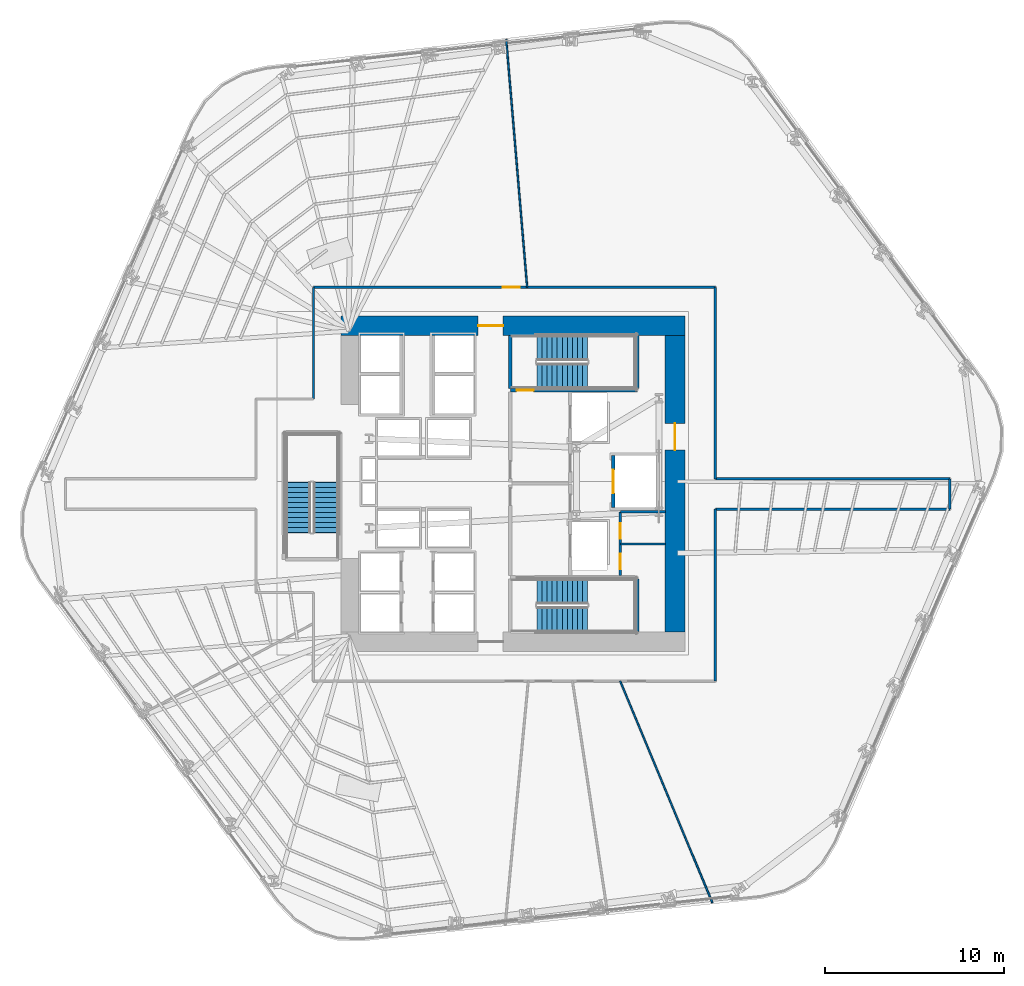
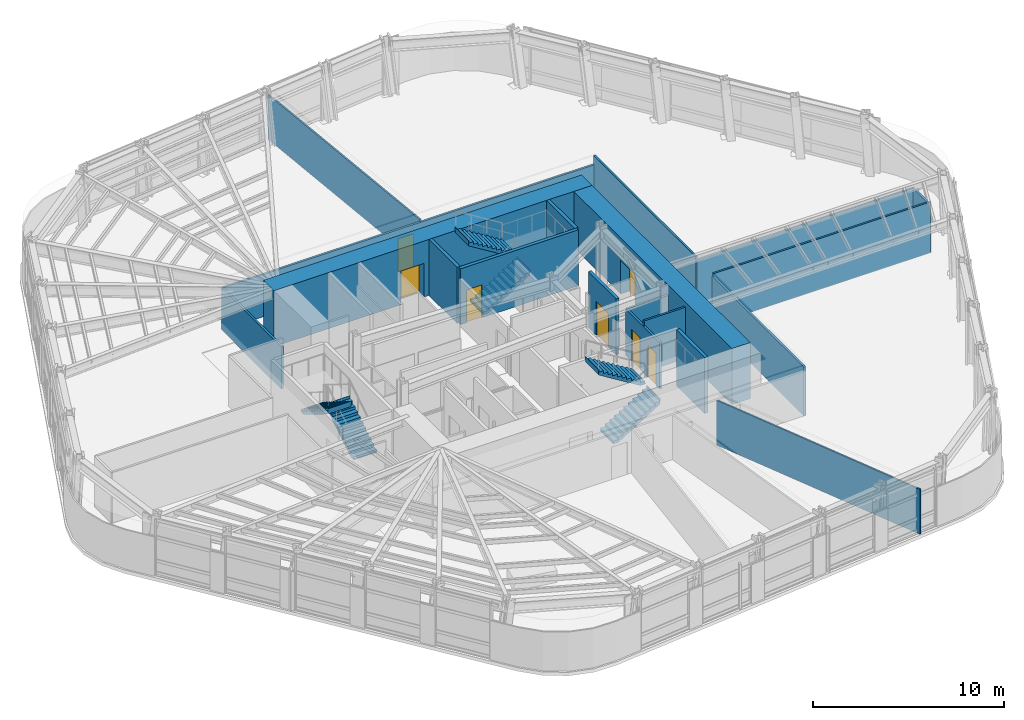
# One storey, part 9 of 16: 19 walls, 7 doors, 6 stair flights, 7 openings, 3 elements without a shape of their own.
"""IFC4 building model written with IfcOpenShell, lengths in metres."""

from ifc_helpers import new_model, si_unit, direction, frame, frame_2d, origin, place, context, subcontext, project, spatial, polyline, rectangle, outline, extrude, material, layer, layer_set, type_object, element, fill, aggregate, save


model = new_model("IFC4")

# Units and contexts
model_context = context("Model", 3, precision=1e-05, world=origin(), true_north=direction((0.0, 1.0)))
body_context = subcontext(model_context, "Body", "Model", "MODEL_VIEW")
ifc_project = project(units=[si_unit("LENGTHUNIT", "METRE"), si_unit("AREAUNIT", "SQUARE_METRE"), si_unit("VOLUMEUNIT", "CUBIC_METRE"), si_unit("PLANEANGLEUNIT", "RADIAN"), si_unit("MASSUNIT", "GRAM", prefix="KILO")], contexts=[model_context])

# Site, building, storey
site_placement = place(None, origin())
site = spatial("IfcSite", under=ifc_project, at=site_placement, CompositionType="ELEMENT")
building_placement = place(site_placement, origin())
building = spatial("IfcBuilding", under=site, at=building_placement, Name="Valkerne Bourse Tower", CompositionType="ELEMENT")
storey_placement = place(building_placement, frame((0.0, 0.0, 50.60009765625)))
storey = spatial("IfcBuildingStorey", under=building, at=storey_placement, Name="L12", CompositionType="ELEMENT", Elevation=50.60009765625)

# Wall, opening, door
ifc_material_1 = material(Name="Concrete C70/85", Category="concrete")
ifc_layer_1 = layer(ifc_material_1, 1.10009765625)
ifc_layer_set_1 = layer_set([ifc_layer_1], Name="Concrete C70/85")
wall_type_1 = type_object("IfcWallType", Name="W-CORE-1100", PredefinedType="SHEAR", material=ifc_layer_set_1)
wall_1_placement = place(storey_placement, frame((37.199951171875, 35.699951171875, 0.0), z_axis=(0.0, 0.0, 1.0), x_axis=(1.0, 0.0, 0.0)))
wall_1 = element("IfcWall", 1, at=wall_1_placement, inside=storey, type_object=wall_type_1, Name="L12 Core Shear Wall NORTH", PredefinedType="SHEAR", context=body_context, shape_type="SweptSolid", body=[
    extrude(rectangle(XDim=19.199951171875, YDim=1.10009765625, at=frame_2d((9.60009765625, 0.0))), origin(), (0.0, 0.0, 1.0), 3.579833984375),
])
opening_1_placement = place(wall_1_placement, frame((7.64990234375, 0.0, 0.0)))
opening_1 = element("IfcOpeningElement", 2, at=opening_1_placement, cuts=wall_1, Name="Opening D-PL-1400", PredefinedType="OPENING", context=body_context, shape_type="SweptSolid", body=[
    extrude(rectangle(XDim=1.39990234375, YDim=2.14990234375, at=frame_2d((0.699951171875, 1.074951171875))), frame((0.0, 0.56005859375, 0.0), z_axis=(0.0, -1.0, 0.0), x_axis=(1.0, 0.0, 0.0)), (0.0, 0.0, 1.0), 1.1201171875),
])
ifc_material_2 = material(Name="Galvanised Painted Steel", Category="steel")
door_type_1 = type_object("IfcDoorType", Name="DR-PLT-1400", OperationType="DOUBLE_DOOR_SINGLE_SWING", PredefinedType="DOOR", material=ifc_material_2)
door_1_placement = place(opening_1_placement, origin())
door_1 = element("IfcDoor", 3, at=door_1_placement, inside=storey, type_object=door_type_1, Name="L12 North Passenger Lift Hall Fire Door", OperationType="DOUBLE_DOOR_SINGLE_SWING", OverallHeight=2.14990234375, OverallWidth=1.39990234375, PredefinedType="DOOR", context=body_context, shape_type="SweptSolid", body=[
    extrude(rectangle(XDim=1.39990234375, YDim=2.14990234375, at=frame_2d((0.699951171875, 1.074951171875))), frame((0.0, 0.02490234375, 0.0), z_axis=(0.0, -1.0, 0.0), x_axis=(1.0, 0.0, 0.0)), (0.0, 0.0, 1.0), 0.050048828125),
])
fill(opening_1, door_1)

wall_2_placement = place(storey_placement, frame((55.85009765625, 18.60009765625, 0.0), z_axis=(0.0, 0.0, 1.0), x_axis=(0.0, 1.0, 0.0)))
wall_2 = element("IfcWall", 4, at=wall_2_placement, inside=storey, type_object=wall_type_1, Name="L12 Core Shear Wall EAST", PredefinedType="SHEAR", context=body_context, shape_type="SweptSolid", body=[
    extrude(rectangle(XDim=16.5498046875, YDim=1.10009765625, at=frame_2d((8.27490234375, 0.0))), origin(), (0.0, 0.0, 1.0), 3.579833984375),
])
opening_2_placement = place(wall_2_placement, frame((10.14990234375, 0.0, 0.0)))
opening_2 = element("IfcOpeningElement", 5, at=opening_2_placement, cuts=wall_2, Name="Opening D-CR-1500", PredefinedType="OPENING", context=body_context, shape_type="SweptSolid", body=[
    extrude(rectangle(XDim=1.5, YDim=2.14990234375, at=frame_2d((0.75, 1.074951171875))), frame((0.0, 0.56005859375, 0.0), z_axis=(0.0, -1.0, 0.0), x_axis=(1.0, 0.0, 0.0)), (0.0, 0.0, 1.0), 1.1201171875),
])
door_type_2 = type_object("IfcDoorType", Name="DR-CORR-1500", OperationType="DOUBLE_DOOR_SINGLE_SWING", PredefinedType="DOOR", material=ifc_material_2)
door_2_placement = place(opening_2_placement, origin())
door_2 = element("IfcDoor", 6, at=door_2_placement, inside=storey, type_object=door_type_2, Name="L12 East Core Service Lobby Fire Door", OperationType="DOUBLE_DOOR_SINGLE_SWING", OverallHeight=2.14990234375, OverallWidth=1.5, PredefinedType="DOOR", context=body_context, shape_type="SweptSolid", body=[
    extrude(rectangle(XDim=1.5, YDim=2.14990234375, at=frame_2d((0.75, 1.074951171875))), frame((0.0, 0.02490234375, 0.0), z_axis=(0.0, -1.0, 0.0), x_axis=(1.0, 0.0, 0.0)), (0.0, 0.0, 1.0), 0.050048828125),
])
fill(opening_2, door_2)

# Walls
ifc_material_3 = material(Name="Gypsum Board Steel-Stud Partition", Category="steel")
ifc_layer_2 = layer(ifc_material_3, 0.117919921875)
ifc_layer_set_2 = layer_set([ifc_layer_2], Name="Gypsum Board Steel-Stud Partition")
wall_type_2 = type_object("IfcWallType", Name="W-CORR-140", PredefinedType="PARTITIONING", material=ifc_layer_set_2)
wall_3_placement = place(storey_placement, frame((52.800048828125, 23.510009765625, 0.0), z_axis=(0.0, 0.0, 1.0), x_axis=(1.0, 0.0, 0.0)))
element("IfcWall", 7, at=wall_3_placement, inside=storey, type_object=wall_type_2, Name="L12 Core SE Dual Divider", PredefinedType="PARTITIONING", context=body_context, shape_type="SweptSolid", body=[
    extrude(rectangle(XDim=2.52001953125, YDim=0.117919921875, at=frame_2d((1.260009765625, 0.0))), origin(), (0.0, 0.0, 1.0), 3.27978515625),
])
wall_4_placement = place(storey_placement, frame((58.10009765625, 27.14990234375, 0.0), z_axis=(0.0, 0.0, 1.0), x_axis=(1.0, 0.0, 0.0)))
element("IfcWall", 8, at=wall_4_placement, inside=storey, type_object=wall_type_2, Name="L12 Corridor Enclosure Wall", PredefinedType="PARTITIONING", context=body_context, shape_type="SweptSolid", body=[
    extrude(rectangle(XDim=13.099853515625, YDim=0.117919921875, at=frame_2d((6.5498046875, 0.0))), origin(), (0.0, 0.0, 1.0), 3.11279296875),
])
wall_5_placement = place(storey_placement, frame((71.199951171875, 27.14990234375, 0.0), z_axis=(0.0, 0.0, 1.0), x_axis=(0.0, -1.0, 0.0)))
element("IfcWall", 9, at=wall_5_placement, inside=storey, type_object=wall_type_2, Name="L12 Corridor Enclosure Wall", PredefinedType="PARTITIONING", context=body_context, shape_type="SweptSolid", body=[
    extrude(rectangle(XDim=1.699951171875, YDim=0.117919921875, at=frame_2d((0.85009765625, 0.0))), origin(), (0.0, 0.0, 1.0), 3.11279296875),
])
wall_6_placement = place(storey_placement, frame((71.199951171875, 25.449951171875, 0.0), z_axis=(0.0, 0.0, 1.0), x_axis=(-1.0, 0.0, 0.0)))
element("IfcWall", 10, at=wall_6_placement, inside=storey, type_object=wall_type_2, Name="L12 Corridor Enclosure Wall", PredefinedType="PARTITIONING", context=body_context, shape_type="SweptSolid", body=[
    extrude(rectangle(XDim=13.099853515625, YDim=0.117919921875, at=frame_2d((6.5498046875, 0.0))), origin(), (0.0, 0.0, 1.0), 3.260009765625),
])
wall_7_placement = place(storey_placement, frame((58.10009765625, 25.449951171875, 0.0), z_axis=(0.0, 0.0, 1.0), x_axis=(0.0, -1.0, 0.0)))
element("IfcWall", 11, at=wall_7_placement, inside=storey, type_object=wall_type_2, Name="L12 Corridor Enclosure Wall", PredefinedType="PARTITIONING", context=body_context, shape_type="SweptSolid", body=[
    extrude(rectangle(XDim=9.599853515625, YDim=0.117919921875, at=frame_2d((4.7998046875, 0.0))), origin(), (0.0, 0.0, 1.0), 3.107666015625),
])
wall_8_placement = place(storey_placement, frame((35.64990234375, 31.60009765625, 0.0), z_axis=(0.0, 0.0, 1.0), x_axis=(0.0, 1.0, 0.0)))
element("IfcWall", 12, at=wall_8_placement, inside=storey, type_object=wall_type_2, Name="L12 Corridor Enclosure Wall", PredefinedType="PARTITIONING", context=body_context, shape_type="SweptSolid", body=[
    extrude(rectangle(XDim=6.25, YDim=0.117919921875, at=frame_2d((3.125, 0.0))), origin(), (0.0, 0.0, 1.0), 2.71142578125),
])

# Wall, opening, door
wall_9_placement = place(storey_placement, frame((35.64990234375, 37.85009765625, 0.0), z_axis=(0.0, 0.0, 1.0), x_axis=(1.0, 0.0, 0.0)))
wall_9 = element("IfcWall", 13, at=wall_9_placement, inside=storey, type_object=wall_type_2, Name="L12 Corridor Enclosure Wall", PredefinedType="PARTITIONING", context=body_context, shape_type="SweptSolid", body=[
    extrude(rectangle(XDim=22.4501953125, YDim=0.117919921875, at=frame_2d((11.22509765625, 0.0))), origin(), (0.0, 0.0, 1.0), 2.71142578125),
])
opening_3_placement = place(wall_9_placement, frame((10.570068359375, 0.0, 0.0)))
opening_3 = element("IfcOpeningElement", 14, at=opening_3_placement, cuts=wall_9, Name="Opening D-OF-950", PredefinedType="OPENING", context=body_context, shape_type="SweptSolid", body=[
    extrude(rectangle(XDim=0.949951171875, YDim=2.10009765625, at=frame_2d((0.47509765625, 1.050048828125))), frame((0.0, 0.06884765625, 0.0), z_axis=(0.0, -1.0, 0.0), x_axis=(1.0, 0.0, 0.0)), (0.0, 0.0, 1.0), 0.137939453125),
])
ifc_material_4 = material(Name="Architectural White Oak Timber", Category="wood")
door_type_3 = type_object("IfcDoorType", Name="DR-OFF-950", OperationType="NOTDEFINED", PredefinedType="DOOR", material=ifc_material_4)
door_3_placement = place(opening_3_placement, origin())
door_3 = element("IfcDoor", 15, at=door_3_placement, inside=storey, type_object=door_type_3, Name="L12 L12 Executive Economics Study Room 4 Door", OperationType="SINGLE_SWING_LEFT", OverallHeight=2.10009765625, OverallWidth=0.949951171875, PredefinedType="DOOR", context=body_context, shape_type="SweptSolid", body=[
    extrude(rectangle(XDim=0.949951171875, YDim=2.10009765625, at=frame_2d((0.47509765625, 1.050048828125))), frame((0.0, 0.02490234375, 0.0), z_axis=(0.0, -1.0, 0.0), x_axis=(1.0, 0.0, 0.0)), (0.0, 0.0, 1.0), 0.050048828125),
])
fill(opening_3, door_3)

# Wall
wall_10_placement = place(storey_placement, frame((58.10009765625, 37.85009765625, 0.0), z_axis=(0.0, 0.0, 1.0), x_axis=(0.0, -1.0, 0.0)))
element("IfcWall", 16, at=wall_10_placement, inside=storey, type_object=wall_type_2, Name="L12 Corridor Enclosure Wall", PredefinedType="PARTITIONING", context=body_context, shape_type="SweptSolid", body=[
    extrude(rectangle(XDim=10.7001953125, YDim=0.117919921875, at=frame_2d((5.35009765625, 0.0))), origin(), (0.0, 0.0, 1.0), 3.27978515625),
])

# Wall, opening, door
ifc_material_5 = material(Name="CMU Blockwork Masonry 200mm", Category="masonry")
ifc_layer_3 = layer(ifc_material_5, 0.179931640625)
ifc_layer_set_3 = layer_set([ifc_layer_3], Name="CMU Blockwork Masonry 200mm")
wall_type_3 = type_object("IfcWallType", Name="W-LFT-180", PredefinedType="SOLIDWALL", material=ifc_layer_set_3)
wall_11_placement = place(storey_placement, frame((52.39990234375, 25.550048828125, 0.0), z_axis=(0.0, 0.0, 1.0), x_axis=(0.0, 1.0, 0.0)))
wall_11 = element("IfcWall", 17, at=wall_11_placement, inside=storey, type_object=wall_type_3, Name="L12 Service Lift SV-1 Front Wall", PredefinedType="SOLIDWALL", context=body_context, shape_type="SweptSolid", body=[
    extrude(rectangle(XDim=2.89990234375, YDim=0.179931640625, at=frame_2d((1.449951171875, 0.0))), origin(), (0.0, 0.0, 1.0), 3.579833984375),
])
opening_4_placement = place(wall_11_placement, frame((0.800048828125, 0.0, 0.0)))
opening_4 = element("IfcOpeningElement", 18, at=opening_4_placement, cuts=wall_11, Name="Opening LD-1300", PredefinedType="OPENING", context=body_context, shape_type="SweptSolid", body=[
    extrude(rectangle(XDim=1.300048828125, YDim=2.14990234375, at=frame_2d((0.64990234375, 1.074951171875))), frame((0.0, 0.099853515625, 0.0), z_axis=(0.0, -1.0, 0.0), x_axis=(1.0, 0.0, 0.0)), (0.0, 0.0, 1.0), 0.199951171875),
])
ifc_material_6 = material(Name="Stainless Steel AISI 316", Category="steel")
door_type_4 = type_object("IfcDoorType", Name="DR-LIFT-1300", OperationType="DOUBLE_DOOR_SLIDING", PredefinedType="DOOR", material=ifc_material_6)
door_4_placement = place(opening_4_placement, origin())
door_4 = element("IfcDoor", 19, at=door_4_placement, inside=storey, type_object=door_type_4, Name="L12 Service Lift SV-1 Landing Door", OperationType="DOUBLE_DOOR_SLIDING", OverallHeight=2.14990234375, OverallWidth=1.300048828125, PredefinedType="DOOR", context=body_context, shape_type="SweptSolid", body=[
    extrude(rectangle(XDim=1.300048828125, YDim=2.14990234375, at=frame_2d((0.64990234375, 1.074951171875))), frame((0.0, 0.02490234375, 0.0), z_axis=(0.0, -1.0, 0.0), x_axis=(1.0, 0.0, 0.0)), (0.0, 0.0, 1.0), 0.050048828125),
])
fill(opening_4, door_4)

# Walls
ifc_layer_4 = layer(ifc_material_3, 0.092041015625)
ifc_layer_set_4 = layer_set([ifc_layer_4], Name="Gypsum Board Steel-Stud Partition")
wall_type_4 = type_object("IfcWallType", Name="W-PART-115", PredefinedType="PARTITIONING", material=ifc_layer_set_4)
wall_12_placement = place(storey_placement, frame((52.785400390625, 15.844970703125, 0.0), z_axis=(0.0, 0.0, 1.0), x_axis=(0.384301190964, -0.923207774352, 0.0)))
element("IfcWall", 20, at=wall_12_placement, inside=storey, type_object=wall_type_4, Name="L12 Suite Partition P03", PredefinedType="PARTITIONING", context=body_context, shape_type="SweptSolid", body=[
    extrude(rectangle(XDim=13.408203125, YDim=0.092041015625, at=frame_2d((6.7041015625, 0.0))), origin(), (0.0, 0.0, 1.0), 2.86376953125),
])
wall_13_placement = place(storey_placement, frame((47.589111328125, 37.85498046875, 0.0), z_axis=(0.0, 0.0, 1.0), x_axis=(-0.084276225487, 0.996442430759, 0.0)))
element("IfcWall", 21, at=wall_13_placement, inside=storey, type_object=wall_type_4, Name="L12 Suite Partition P04", PredefinedType="PARTITIONING", context=body_context, shape_type="SweptSolid", body=[
    extrude(rectangle(XDim=13.8876953125, YDim=0.092041015625, at=frame_2d((6.94384765625, 0.0))), origin(), (0.0, 0.0, 1.0), 2.86376953125),
])
ifc_material_7 = material(Name="Concrete C40/50", Category="concrete")
ifc_layer_5 = layer(ifc_material_7, 0.199951171875)
ifc_layer_set_5 = layer_set([ifc_layer_5], Name="Concrete C40/50")
wall_type_5 = type_object("IfcWallType", Name="W-SHF-200", PredefinedType="SHEAR", material=ifc_layer_set_5)
wall_14_placement = place(storey_placement, frame((53.75, 18.60009765625, 0.0), z_axis=(0.0, 0.0, 1.0), x_axis=(0.0, 1.0, 0.0)))
element("IfcWall", 22, at=wall_14_placement, inside=storey, type_object=wall_type_5, Name="L12 Exit Stair ST-1 Structural Shaft Wall East", PredefinedType="SHEAR", context=body_context, shape_type="SweptSolid", body=[
    extrude(rectangle(XDim=2.949951171875, YDim=0.199951171875, at=frame_2d((1.47509765625, 0.0))), origin(), (0.0, 0.0, 1.0), 3.579833984375),
])

# Wall, opening, door
wall_15_placement = place(storey_placement, frame((46.64990234375, 32.10009765625, 0.0), z_axis=(0.0, 0.0, 1.0), x_axis=(1.0, 0.0, 0.0)))
wall_15 = element("IfcWall", 23, at=wall_15_placement, inside=storey, type_object=wall_type_5, Name="L12 Exit Stair ST-2 Structural Shaft Wall South", PredefinedType="SHEAR", context=body_context, shape_type="SweptSolid", body=[
    extrude(rectangle(XDim=7.10009765625, YDim=0.199951171875, at=frame_2d((3.550048828125, 0.0))), origin(), (0.0, 0.0, 1.0), 3.579833984375),
])
opening_5_placement = place(wall_15_placement, frame((0.35009765625, 0.0, 0.0)))
opening_5 = element("IfcOpeningElement", 24, at=opening_5_placement, cuts=wall_15, Name="Opening D-ST-950", PredefinedType="OPENING", context=body_context, shape_type="SweptSolid", body=[
    extrude(rectangle(XDim=0.949951171875, YDim=2.10009765625, at=frame_2d((0.47509765625, 1.050048828125))), frame((0.0, 0.10986328125, 0.0), z_axis=(0.0, -1.0, 0.0), x_axis=(1.0, 0.0, 0.0)), (0.0, 0.0, 1.0), 0.219970703125),
])
door_type_5 = type_object("IfcDoorType", Name="DR-STAIR-950", OperationType="NOTDEFINED", PredefinedType="DOOR", material=ifc_material_2)
door_5_placement = place(opening_5_placement, origin())
door_5 = element("IfcDoor", 25, at=door_5_placement, inside=storey, type_object=door_type_5, Name="L12 Exit Stair ST-2 Door", OperationType="SINGLE_SWING_RIGHT", OverallHeight=2.10009765625, OverallWidth=0.949951171875, PredefinedType="DOOR", context=body_context, shape_type="SweptSolid", body=[
    extrude(rectangle(XDim=0.949951171875, YDim=2.10009765625, at=frame_2d((0.47509765625, 1.050048828125))), frame((0.0, 0.02490234375, 0.0), z_axis=(0.0, -1.0, 0.0), x_axis=(1.0, 0.0, 0.0)), (0.0, 0.0, 1.0), 0.050048828125),
])
fill(opening_5, door_5)

# Walls
for number, where, z_axis, x_axis, name in (
    (26, (46.64990234375, 32.199951171875, 0.0), (0.0, 0.0, 1.0), (0.0, 1.0, 0.0), "L12 Exit Stair ST-2 Structural Shaft Wall West"),
    (27, (53.75, 32.199951171875, 0.0), (0.0, 0.0, 1.0), (0.0, 1.0, 0.0), "L12 Exit Stair ST-2 Structural Shaft Wall East"),
):
    element("IfcWall", number, at=place(storey_placement, frame(where, z_axis=z_axis, x_axis=x_axis)), inside=storey, type_object=wall_type_5, Name=name, PredefinedType="SHEAR", context=body_context, shape_type="SweptSolid", body=[
        extrude(rectangle(XDim=2.949951171875, YDim=0.199951171875, at=frame_2d((1.47509765625, 0.0))), origin(), (0.0, 0.0, 1.0), 3.579833984375),
    ])

# Wall, openings, doors
ifc_material_8 = material(Name="Moisture-Resistant Gypsum Partition", Category="gypsum")
ifc_layer_6 = layer(ifc_material_8, 0.139892578125)
ifc_layer_set_6 = layer_set([ifc_layer_6], Name="Moisture-Resistant Gypsum Partition")
wall_type_6 = type_object("IfcWallType", Name="W-WET-140", PredefinedType="PARTITIONING", material=ifc_layer_set_6)
wall_16_placement = place(storey_placement, frame((52.800048828125, 21.75, 0.0), z_axis=(0.0, 0.0, 1.0), x_axis=(0.0, 1.0, 0.0)))
wall_16 = element("IfcWall", 28, at=wall_16_placement, inside=storey, type_object=wall_type_6, Name="L12 Core SE Dual West Wall", PredefinedType="PARTITIONING", context=body_context, shape_type="SweptSolid", body=[
    extrude(rectangle(XDim=3.550048828125, YDim=0.139892578125, at=frame_2d((1.77490234375, 0.0))), origin(), (0.0, 0.0, 1.0), 2.9580078125),
])
opening_6_placement = place(wall_16_placement, frame((0.35009765625, 0.0, 0.0)))
opening_6 = element("IfcOpeningElement", 29, at=opening_6_placement, cuts=wall_16, Name="Opening D-WC-900", PredefinedType="OPENING", context=body_context, shape_type="SweptSolid", body=[
    extrude(rectangle(XDim=0.860107421875, YDim=2.050048828125, at=frame_2d((0.43017578125, 1.02490234375))), frame((0.0, 0.079833984375, 0.0), z_axis=(0.0, -1.0, 0.0), x_axis=(1.0, 0.0, 0.0)), (0.0, 0.0, 1.0), 0.159912109375),
])
opening_7_placement = place(wall_16_placement, frame((2.050048828125, 0.0, 0.0)))
opening_7 = element("IfcOpeningElement", 30, at=opening_7_placement, cuts=wall_16, Name="Opening D-WC-900", PredefinedType="OPENING", context=body_context, shape_type="SweptSolid", body=[
    extrude(rectangle(XDim=0.860107421875, YDim=2.050048828125, at=frame_2d((0.43017578125, 1.02490234375))), frame((0.0, 0.079833984375, 0.0), z_axis=(0.0, -1.0, 0.0), x_axis=(1.0, 0.0, 0.0)), (0.0, 0.0, 1.0), 0.159912109375),
])
door_type_6 = type_object("IfcDoorType", Name="DR-WC-900", OperationType="NOTDEFINED", PredefinedType="DOOR", material=ifc_material_4)
door_6_placement = place(opening_6_placement, origin())
door_6 = element("IfcDoor", 31, at=door_6_placement, inside=storey, type_object=door_type_6, Name="L12 Linen Store Door", OperationType="SINGLE_SWING_LEFT", OverallHeight=2.050048828125, OverallWidth=0.860107421875, PredefinedType="DOOR", context=body_context, shape_type="SweptSolid", body=[
    extrude(rectangle(XDim=0.860107421875, YDim=2.050048828125, at=frame_2d((0.43017578125, 1.02490234375))), frame((0.0, 0.02490234375, 0.0), z_axis=(0.0, -1.0, 0.0), x_axis=(1.0, 0.0, 0.0)), (0.0, 0.0, 1.0), 0.050048828125),
])
fill(opening_6, door_6)
door_7_placement = place(opening_7_placement, origin())
door_7 = element("IfcDoor", 32, at=door_7_placement, inside=storey, type_object=door_type_6, Name="L12 Espresso Kitchen Door", OperationType="SINGLE_SWING_LEFT", OverallHeight=2.050048828125, OverallWidth=0.860107421875, PredefinedType="DOOR", context=body_context, shape_type="SweptSolid", body=[
    extrude(rectangle(XDim=0.860107421875, YDim=2.050048828125, at=frame_2d((0.43017578125, 1.02490234375))), frame((0.0, 0.02490234375, 0.0), z_axis=(0.0, -1.0, 0.0), x_axis=(1.0, 0.0, 0.0)), (0.0, 0.0, 1.0), 0.050048828125),
])
fill(opening_7, door_7)

# Wall
wall_17_placement = place(storey_placement, frame((52.800048828125, 25.300048828125, 0.0), z_axis=(0.0, 0.0, 1.0), x_axis=(1.0, 0.0, 0.0)))
element("IfcWall", 33, at=wall_17_placement, inside=storey, type_object=wall_type_6, Name="L12 Core SE Dual North Wall", PredefinedType="PARTITIONING", context=body_context, shape_type="SweptSolid", body=[
    extrude(rectangle(XDim=2.52001953125, YDim=0.139892578125, at=frame_2d((1.260009765625, 0.0))), origin(), (0.0, 0.0, 1.0), 2.9580078125),
])

# Stair, stair flights
stair_type = type_object("IfcStairType", Name="ST-CORE-1400", PredefinedType="HALF_TURN_STAIR", material=ifc_material_7)
stair_1_placement = place(storey_placement, origin())
stair_1 = element("IfcStair", 34, at=stair_1_placement, inside=storey, type_object=stair_type, Name="L12 ST-1", PredefinedType="HALF_TURN_STAIR")
stair_flight_type = type_object("IfcStairFlightType", Name="STF-CORE-1400", PredefinedType="STRAIGHT", material=ifc_material_7)
stair_flight_1_placement = place(storey_placement, frame((48.14990234375, 19.300048828125, 0.0), z_axis=(0.0, 0.0, 1.0), x_axis=(1.0, 0.0, 0.0)))
stair_flight_1 = element("IfcStairFlight", 35, at=stair_flight_1_placement, type_object=stair_flight_type, Name="ST-1 flight 1", NumberOfRisers=11, NumberOfTreads=10, PredefinedType="STRAIGHT", RiserHeight=0.172727273, TreadLength=0.28, context=body_context, shape_type="SweptSolid", body=[
    extrude(outline(polyline([(-0.02001953125, 0.0), (-0.02001953125, 0.044921875), (0.0, 0.044921875), (0.0, 0.172607421875), (0.280029296875, 0.172607421875), (0.280029296875, 0.345458984375), (0.56005859375, 0.345458984375), (0.56005859375, 0.51806640625), (0.840087890625, 0.51806640625), (0.840087890625, 0.69091796875), (1.1201171875, 0.69091796875), (1.1201171875, 0.863525390625), (1.39990234375, 0.863525390625), (1.39990234375, 1.036376953125), (1.679931640625, 1.036376953125), (1.679931640625, 1.208984375), (1.9599609375, 1.208984375), (1.9599609375, 1.3818359375), (2.239990234375, 1.3818359375), (2.239990234375, 1.554443359375), (2.52001953125, 1.554443359375), (2.52001953125, 1.727294921875), (2.800048828125, 1.727294921875), (2.800048828125, 1.89990234375), (2.820068359375, 1.89990234375), (2.820068359375, 1.780029296875), (2.800048828125, 1.551025390625), (0.285400390625, 0.0), (-0.02001953125, 0.0)])), frame((0.0, 0.699951171875, 0.0), z_axis=(0.0, -1.0, 0.0), x_axis=(1.0, 0.0, 0.0)), (0.0, 0.0, 1.0), 1.39990234375),
])
stair_flight_2_placement = place(storey_placement, frame((50.949951171875, 20.85009765625, 1.89990234375), z_axis=(0.0, 0.0, 1.0), x_axis=(-1.0, 0.0, 0.0)))
stair_flight_2 = element("IfcStairFlight", 36, at=stair_flight_2_placement, type_object=stair_flight_type, Name="ST-1 flight 2", NumberOfRisers=11, NumberOfTreads=10, PredefinedType="STRAIGHT", RiserHeight=0.172727273, TreadLength=0.28, context=body_context, shape_type="SweptSolid", body=[
    extrude(outline(polyline([(-0.02001953125, 0.0), (-0.02001953125, 0.044921875), (0.0, 0.044921875), (0.0, 0.172607421875), (0.280029296875, 0.172607421875), (0.280029296875, 0.345458984375), (0.56005859375, 0.345458984375), (0.56005859375, 0.51806640625), (0.840087890625, 0.51806640625), (0.840087890625, 0.69091796875), (1.1201171875, 0.69091796875), (1.1201171875, 0.863525390625), (1.39990234375, 0.863525390625), (1.39990234375, 1.036376953125), (1.679931640625, 1.036376953125), (1.679931640625, 1.208984375), (1.9599609375, 1.208984375), (1.9599609375, 1.3818359375), (2.239990234375, 1.3818359375), (2.239990234375, 1.554443359375), (2.52001953125, 1.554443359375), (2.52001953125, 1.727294921875), (2.800048828125, 1.727294921875), (2.800048828125, 1.89990234375), (2.820068359375, 1.89990234375), (2.820068359375, 1.780029296875), (2.800048828125, 1.551025390625), (0.285400390625, 0.0), (-0.02001953125, 0.0)])), frame((0.0, 0.699951171875, 0.0), z_axis=(0.0, -1.0, 0.0), x_axis=(1.0, 0.0, 0.0)), (0.0, 0.0, 1.0), 1.39990234375),
])
aggregate(stair_1, [stair_flight_1, stair_flight_2])

stair_2_placement = place(storey_placement, origin())
stair_2 = element("IfcStair", 37, at=stair_2_placement, inside=storey, type_object=stair_type, Name="L12 ST-2", PredefinedType="HALF_TURN_STAIR")
stair_flight_3_placement = place(storey_placement, frame((48.14990234375, 32.89990234375, 0.0), z_axis=(0.0, 0.0, 1.0), x_axis=(1.0, 0.0, 0.0)))
stair_flight_3 = element("IfcStairFlight", 38, at=stair_flight_3_placement, type_object=stair_flight_type, Name="ST-2 flight 1", NumberOfRisers=11, NumberOfTreads=10, PredefinedType="STRAIGHT", RiserHeight=0.172727273, TreadLength=0.28, context=body_context, shape_type="SweptSolid", body=[
    extrude(outline(polyline([(-0.02001953125, 0.0), (-0.02001953125, 0.044921875), (0.0, 0.044921875), (0.0, 0.172607421875), (0.280029296875, 0.172607421875), (0.280029296875, 0.345458984375), (0.56005859375, 0.345458984375), (0.56005859375, 0.51806640625), (0.840087890625, 0.51806640625), (0.840087890625, 0.69091796875), (1.1201171875, 0.69091796875), (1.1201171875, 0.863525390625), (1.39990234375, 0.863525390625), (1.39990234375, 1.036376953125), (1.679931640625, 1.036376953125), (1.679931640625, 1.208984375), (1.9599609375, 1.208984375), (1.9599609375, 1.3818359375), (2.239990234375, 1.3818359375), (2.239990234375, 1.554443359375), (2.52001953125, 1.554443359375), (2.52001953125, 1.727294921875), (2.800048828125, 1.727294921875), (2.800048828125, 1.89990234375), (2.820068359375, 1.89990234375), (2.820068359375, 1.780029296875), (2.800048828125, 1.551025390625), (0.285400390625, 0.0), (-0.02001953125, 0.0)])), frame((0.0, 0.699951171875, 0.0), z_axis=(0.0, -1.0, 0.0), x_axis=(1.0, 0.0, 0.0)), (0.0, 0.0, 1.0), 1.39990234375),
])
stair_flight_4_placement = place(storey_placement, frame((50.949951171875, 34.449951171875, 1.89990234375), z_axis=(0.0, 0.0, 1.0), x_axis=(-1.0, 0.0, 0.0)))
stair_flight_4 = element("IfcStairFlight", 39, at=stair_flight_4_placement, type_object=stair_flight_type, Name="ST-2 flight 2", NumberOfRisers=11, NumberOfTreads=10, PredefinedType="STRAIGHT", RiserHeight=0.172727273, TreadLength=0.28, context=body_context, shape_type="SweptSolid", body=[
    extrude(outline(polyline([(-0.02001953125, 0.0), (-0.02001953125, 0.044921875), (0.0, 0.044921875), (0.0, 0.172607421875), (0.280029296875, 0.172607421875), (0.280029296875, 0.345458984375), (0.56005859375, 0.345458984375), (0.56005859375, 0.51806640625), (0.840087890625, 0.51806640625), (0.840087890625, 0.69091796875), (1.1201171875, 0.69091796875), (1.1201171875, 0.863525390625), (1.39990234375, 0.863525390625), (1.39990234375, 1.036376953125), (1.679931640625, 1.036376953125), (1.679931640625, 1.208984375), (1.9599609375, 1.208984375), (1.9599609375, 1.3818359375), (2.239990234375, 1.3818359375), (2.239990234375, 1.554443359375), (2.52001953125, 1.554443359375), (2.52001953125, 1.727294921875), (2.800048828125, 1.727294921875), (2.800048828125, 1.89990234375), (2.820068359375, 1.89990234375), (2.820068359375, 1.780029296875), (2.800048828125, 1.551025390625), (0.285400390625, 0.0), (-0.02001953125, 0.0)])), frame((0.0, 0.699951171875, 0.0), z_axis=(0.0, -1.0, 0.0), x_axis=(1.0, 0.0, 0.0)), (0.0, 0.0, 1.0), 1.39990234375),
])
aggregate(stair_2, [stair_flight_3, stair_flight_4])

stair_3_placement = place(storey_placement, origin())
stair_3 = element("IfcStair", 40, at=stair_3_placement, inside=storey, type_object=stair_type, Name="L12 ST-3", PredefinedType="HALF_TURN_STAIR")
stair_flight_5_placement = place(storey_placement, frame((36.35009765625, 24.14990234375, 0.0), z_axis=(0.0, 0.0, 1.0), x_axis=(0.0, 1.0, 0.0)))
stair_flight_5 = element("IfcStairFlight", 41, at=stair_flight_5_placement, type_object=stair_flight_type, Name="ST-3 flight 1", NumberOfRisers=11, NumberOfTreads=10, PredefinedType="STRAIGHT", RiserHeight=0.172727273, TreadLength=0.28, context=body_context, shape_type="SweptSolid", body=[
    extrude(outline(polyline([(-0.02001953125, 0.0), (-0.02001953125, 0.044921875), (0.0, 0.044921875), (0.0, 0.172607421875), (0.280029296875, 0.172607421875), (0.280029296875, 0.345458984375), (0.56005859375, 0.345458984375), (0.56005859375, 0.51806640625), (0.840087890625, 0.51806640625), (0.840087890625, 0.69091796875), (1.1201171875, 0.69091796875), (1.1201171875, 0.863525390625), (1.39990234375, 0.863525390625), (1.39990234375, 1.036376953125), (1.679931640625, 1.036376953125), (1.679931640625, 1.208984375), (1.9599609375, 1.208984375), (1.9599609375, 1.3818359375), (2.239990234375, 1.3818359375), (2.239990234375, 1.554443359375), (2.52001953125, 1.554443359375), (2.52001953125, 1.727294921875), (2.800048828125, 1.727294921875), (2.800048828125, 1.89990234375), (2.820068359375, 1.89990234375), (2.820068359375, 1.780029296875), (2.800048828125, 1.551025390625), (0.285400390625, 0.0), (-0.02001953125, 0.0)])), frame((0.0, 0.699951171875, 0.0), z_axis=(0.0, -1.0, 0.0), x_axis=(1.0, 0.0, 0.0)), (0.0, 0.0, 1.0), 1.39990234375),
])
stair_flight_6_placement = place(storey_placement, frame((34.800048828125, 26.949951171875, 1.89990234375), z_axis=(0.0, 0.0, 1.0), x_axis=(0.0, -1.0, 0.0)))
stair_flight_6 = element("IfcStairFlight", 42, at=stair_flight_6_placement, type_object=stair_flight_type, Name="ST-3 flight 2", NumberOfRisers=11, NumberOfTreads=10, PredefinedType="STRAIGHT", RiserHeight=0.172727273, TreadLength=0.28, context=body_context, shape_type="SweptSolid", body=[
    extrude(outline(polyline([(-0.02001953125, 0.0), (-0.02001953125, 0.044921875), (0.0, 0.044921875), (0.0, 0.172607421875), (0.280029296875, 0.172607421875), (0.280029296875, 0.345458984375), (0.56005859375, 0.345458984375), (0.56005859375, 0.51806640625), (0.840087890625, 0.51806640625), (0.840087890625, 0.69091796875), (1.1201171875, 0.69091796875), (1.1201171875, 0.863525390625), (1.39990234375, 0.863525390625), (1.39990234375, 1.036376953125), (1.679931640625, 1.036376953125), (1.679931640625, 1.208984375), (1.9599609375, 1.208984375), (1.9599609375, 1.3818359375), (2.239990234375, 1.3818359375), (2.239990234375, 1.554443359375), (2.52001953125, 1.554443359375), (2.52001953125, 1.727294921875), (2.800048828125, 1.727294921875), (2.800048828125, 1.89990234375), (2.820068359375, 1.89990234375), (2.820068359375, 1.780029296875), (2.800048828125, 1.551025390625), (0.285400390625, 0.0), (-0.02001953125, 0.0)])), frame((0.0, 0.699951171875, 0.0), z_axis=(0.0, -1.0, 0.0), x_axis=(1.0, 0.0, 0.0)), (0.0, 0.0, 1.0), 1.39990234375),
])
aggregate(stair_3, [stair_flight_5, stair_flight_6])

save(model, "model.ifc")
